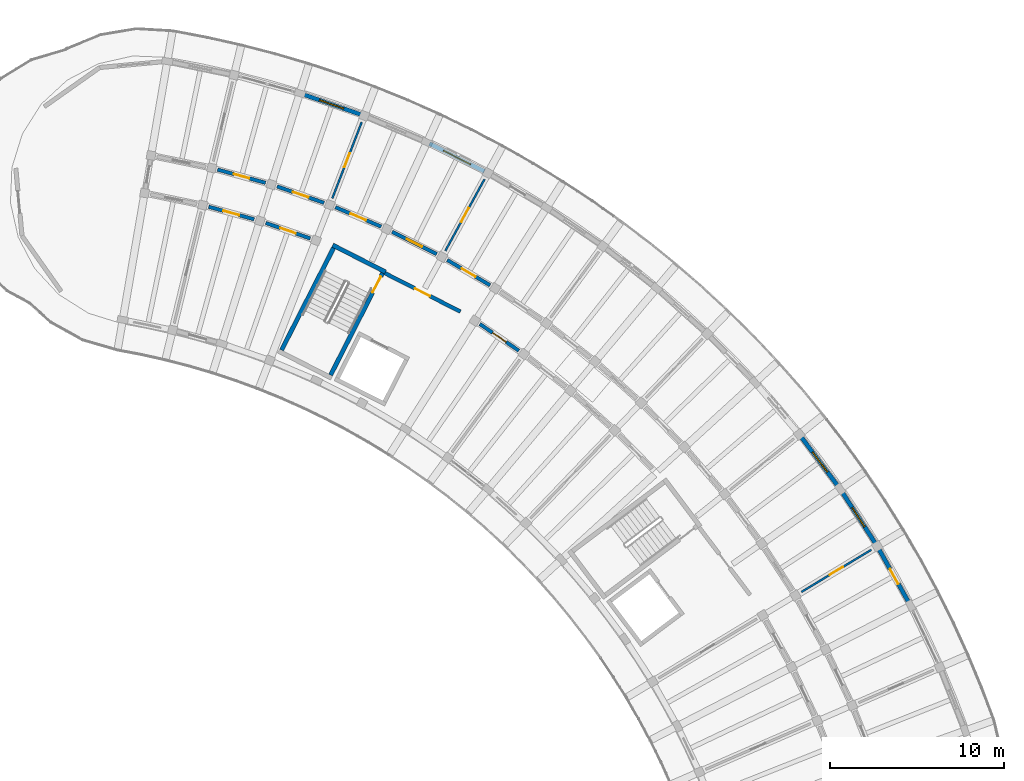
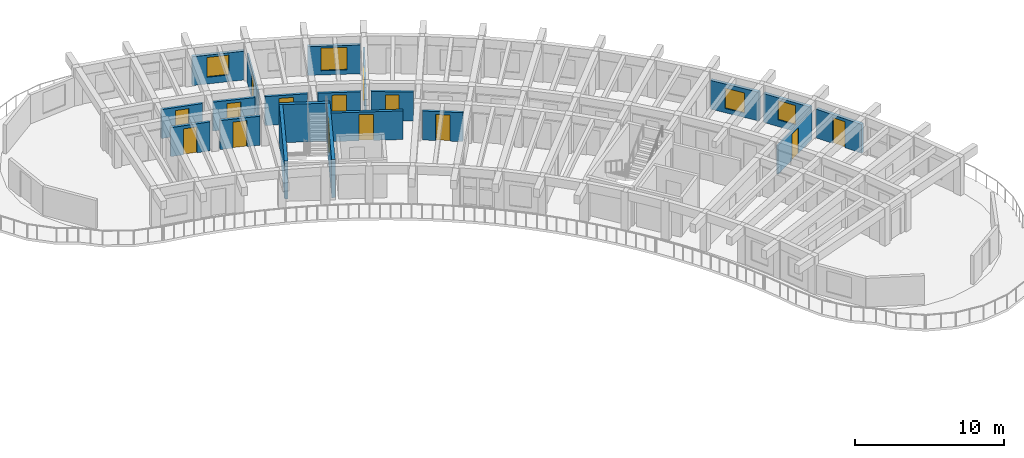
# One storey, part 57 of 83: 20 walls, 14 doors, 4 windows, 18 openings.
"""IFC4 building model written with IfcOpenShell, lengths in metres."""

from ifc_helpers import new_model, si_unit, direction, frame, frame_2d, origin, place, context, subcontext, project, spatial, rectangle, extrude, material, layer, layer_set, type_object, element, fill, save


model = new_model("IFC4")

# Units and contexts
model_context = context("Model", 3, precision=1e-05, world=origin(), true_north=direction((0.0, 1.0)))
body_context = subcontext(model_context, "Body", "Model", "MODEL_VIEW")
ifc_project = project(units=[si_unit("LENGTHUNIT", "METRE"), si_unit("AREAUNIT", "SQUARE_METRE"), si_unit("VOLUMEUNIT", "CUBIC_METRE"), si_unit("PLANEANGLEUNIT", "RADIAN"), si_unit("MASSUNIT", "GRAM", prefix="KILO")], contexts=[model_context])

# Site, building, storey
site_placement = place(None, origin())
site = spatial("IfcSite", under=ifc_project, at=site_placement, CompositionType="ELEMENT")
building_placement = place(site_placement, origin())
building = spatial("IfcBuilding", under=site, at=building_placement, Name="Tanwirah Colonnade Gardens", CompositionType="ELEMENT")
storey_placement = place(building_placement, frame((0.0, 0.0, 25.639892578125)))
storey = spatial("IfcBuildingStorey", under=building, at=storey_placement, Name="L07", CompositionType="ELEMENT", Elevation=25.639892578125)

# Wall, opening, door
ifc_material_1 = material(Name="Limestone architectural precast concrete C40/50", Category="masonry")
ifc_layer_1 = layer(ifc_material_1, 0.239990234375)
ifc_layer_set_1 = layer_set([ifc_layer_1], Name="Limestone architectural precast concrete C40/50")
wall_type_1 = type_object("IfcWallType", Name="EW-PC240", PredefinedType="SOLIDWALL", material=ifc_layer_set_1)
wall_1_placement = place(storey_placement, frame((173.8232421875, 87.68310546875, 0.0), z_axis=(0.0, 0.0, 1.0), x_axis=(-0.488265756403, 0.872694993182, 0.0)))
wall_1 = element("IfcWall", 1, at=wall_1_placement, inside=storey, type_object=wall_type_1, Name="Block B L07 OUT Precast Facade Wall 3", PredefinedType="SOLIDWALL", context=body_context, shape_type="SweptSolid", body=[
    extrude(rectangle(XDim=3.545654296875, YDim=0.239990234375, at=frame_2d((1.77294921875, 0.0))), origin(), (0.0, 0.0, 1.0), 2.355224609375),
])
opening_1_placement = place(wall_1_placement, frame((1.282958984375, 0.0, 0.0)))
opening_1 = element("IfcOpeningElement", 2, at=opening_1_placement, cuts=wall_1, Name="Opening L07-ED098", PredefinedType="OPENING", context=body_context, shape_type="SweptSolid", body=[
    extrude(rectangle(XDim=0.97998046875, YDim=2.1201171875, at=frame_2d((0.489990234375, 1.06005859375))), frame((0.0, 0.1298828125, 0.0), z_axis=(0.0, -1.0, 0.0), x_axis=(1.0, 0.0, 0.0)), (0.0, 0.0, 1.0), 0.260009765625),
])
ifc_material_2 = material(Name="Bronze aluminium glazed balcony door", Category="aluminium")
door_type_1 = type_object("IfcDoorType", Name="ED-BAL098", OperationType="NOTDEFINED", PredefinedType="DOOR", material=ifc_material_2)
door_1_placement = place(opening_1_placement, origin())
door_1 = element("IfcDoor", 3, at=door_1_placement, inside=storey, type_object=door_type_1, Name="Balcony glazed door L07-ED098", OperationType="SINGLE_SWING_LEFT", OverallHeight=2.1201171875, OverallWidth=0.97998046875, PredefinedType="DOOR", context=body_context, shape_type="SweptSolid", body=[
    extrude(rectangle(XDim=0.97998046875, YDim=2.1201171875, at=frame_2d((0.489990234375, 1.06005859375))), frame((0.0, 0.02490234375, 0.0), z_axis=(0.0, -1.0, 0.0), x_axis=(1.0, 0.0, 0.0)), (0.0, 0.0, 1.0), 0.050048828125),
])
fill(opening_1, door_1)

# Wall, opening, window
wall_2_placement = place(storey_placement, frame((171.864990234375, 91.154052734375, 0.0), z_axis=(0.0, 0.0, 1.0), x_axis=(-0.544649472572, 0.838663789624, 0.0)))
wall_2 = element("IfcWall", 4, at=wall_2_placement, inside=storey, type_object=wall_type_1, Name="Block B L07 OUT Precast Facade Wall 4", PredefinedType="SOLIDWALL", context=body_context, shape_type="SweptSolid", body=[
    extrude(rectangle(XDim=3.545654296875, YDim=0.239990234375, at=frame_2d((1.77294921875, 0.0))), origin(), (0.0, 0.0, 1.0), 2.355224609375),
])
opening_2_placement = place(wall_2_placement, frame((1.11279296875, 0.0, 0.550048828125)))
opening_2 = element("IfcOpeningElement", 5, at=opening_2_placement, cuts=wall_2, Name="Opening WIN-U05", PredefinedType="OPENING", context=body_context, shape_type="SweptSolid", body=[
    extrude(rectangle(XDim=1.320068359375, YDim=1.5849609375, at=frame_2d((0.66015625, 0.79248046875))), frame((0.0, 0.1298828125, 0.0), z_axis=(0.0, -1.0, 0.0), x_axis=(1.0, 0.0, 0.0)), (0.0, 0.0, 1.0), 0.260009765625),
])
ifc_material_3 = material(Name="Thermally broken bronze aluminium and solar low-E double glazing", Category="aluminium")
window_type_1 = type_object("IfcWindowType", Name="WIN-U05", PartitioningType="DOUBLE_PANEL_VERTICAL", PredefinedType="WINDOW", material=ifc_material_3)
window_1_placement = place(opening_2_placement, origin())
window_1 = element("IfcWindow", 6, at=window_1_placement, inside=storey, type_object=window_type_1, Name="Facade window B-L07-OUT-04", OverallHeight=1.5849609375, OverallWidth=1.320068359375, PartitioningType="SINGLE_PANEL", PredefinedType="WINDOW", context=body_context, shape_type="SweptSolid", body=[
    extrude(rectangle(XDim=1.320068359375, YDim=1.5849609375, at=frame_2d((0.66015625, 0.79248046875))), frame((0.0, 0.030029296875, 0.0), z_axis=(0.0, -1.0, 0.0), x_axis=(1.0, 0.0, 0.0)), (0.0, 0.0, 1.0), 0.06005859375),
])
fill(opening_2, window_1)

wall_3_placement = place(storey_placement, frame((169.7509765625, 94.389892578125, 0.0), z_axis=(0.0, 0.0, 1.0), x_axis=(-0.598732380635, 0.800949147186, 0.0)))
wall_3 = element("IfcWall", 7, at=wall_3_placement, inside=storey, type_object=wall_type_1, Name="Block B L07 OUT Precast Facade Wall 5", PredefinedType="SOLIDWALL", context=body_context, shape_type="SweptSolid", body=[
    extrude(rectangle(XDim=3.5458984375, YDim=0.239990234375, at=frame_2d((1.77294921875, 0.0))), origin(), (0.0, 0.0, 1.0), 2.355224609375),
])
opening_3_placement = place(wall_3_placement, frame((1.052978515625, 0.0, 0.35009765625)))
opening_3 = element("IfcOpeningElement", 8, at=opening_3_placement, cuts=wall_3, Name="Opening WIN-U08", PredefinedType="OPENING", context=body_context, shape_type="SweptSolid", body=[
    extrude(rectangle(XDim=1.43994140625, YDim=1.659912109375, at=frame_2d((0.719970703125, 0.830078125))), frame((0.0, 0.1298828125, 0.0), z_axis=(0.0, -1.0, 0.0), x_axis=(1.0, 0.0, 0.0)), (0.0, 0.0, 1.0), 0.260009765625),
])
window_type_2 = type_object("IfcWindowType", Name="WIN-U08", PartitioningType="DOUBLE_PANEL_VERTICAL", PredefinedType="WINDOW", material=ifc_material_3)
window_2_placement = place(opening_3_placement, origin())
window_2 = element("IfcWindow", 9, at=window_2_placement, inside=storey, type_object=window_type_2, Name="Facade window B-L07-OUT-05", OverallHeight=1.659912109375, OverallWidth=1.43994140625, PartitioningType="SINGLE_PANEL", PredefinedType="WINDOW", context=body_context, shape_type="SweptSolid", body=[
    extrude(rectangle(XDim=1.43994140625, YDim=1.659912109375, at=frame_2d((0.719970703125, 0.830078125))), frame((0.0, 0.030029296875, 0.0), z_axis=(0.0, -1.0, 0.0), x_axis=(1.0, 0.0, 0.0)), (0.0, 0.0, 1.0), 0.06005859375),
])
fill(opening_3, window_2)

wall_4_placement = place(storey_placement, frame((149.37060546875, 112.5498046875, 0.0), z_axis=(0.0, 0.0, 1.0), x_axis=(-0.892768574661, 0.450515562549, 0.0)))
wall_4 = element("IfcWall", 10, at=wall_4_placement, inside=storey, type_object=wall_type_1, Name="Block B L07 OUT Precast Facade Wall 12", PredefinedType="SOLIDWALL", context=body_context, shape_type="SweptSolid", body=[
    extrude(rectangle(XDim=3.545654296875, YDim=0.239990234375, at=frame_2d((1.77294921875, 0.0))), origin(), (0.0, 0.0, 1.0), 2.355224609375),
])
opening_4_placement = place(wall_4_placement, frame((0.897705078125, 0.0, 0.35009765625)))
opening_4 = element("IfcOpeningElement", 11, at=opening_4_placement, cuts=wall_4, Name="Opening WIN-T13", PredefinedType="OPENING", context=body_context, shape_type="SweptSolid", body=[
    extrude(rectangle(XDim=1.75, YDim=1.85009765625, at=frame_2d((0.875, 0.925048828125))), frame((0.0, 0.1298828125, 0.0), z_axis=(0.0, -1.0, 0.0), x_axis=(1.0, 0.0, 0.0)), (0.0, 0.0, 1.0), 0.260009765625),
])
window_type_3 = type_object("IfcWindowType", Name="WIN-T13", PartitioningType="TRIPLE_PANEL_VERTICAL", PredefinedType="WINDOW", material=ifc_material_3)
window_3_placement = place(opening_4_placement, origin())
window_3 = element("IfcWindow", 12, at=window_3_placement, inside=storey, type_object=window_type_3, Name="Facade window B-L07-OUT-12", OverallHeight=1.85009765625, OverallWidth=1.75, PartitioningType="SINGLE_PANEL", PredefinedType="WINDOW", context=body_context, shape_type="SweptSolid", body=[
    extrude(rectangle(XDim=1.75, YDim=1.85009765625, at=frame_2d((0.875, 0.925048828125))), frame((0.0, 0.030029296875, 0.0), z_axis=(0.0, -1.0, 0.0), x_axis=(1.0, 0.0, 0.0)), (0.0, 0.0, 1.0), 0.06005859375),
])
fill(opening_4, window_3)

wall_5_placement = place(storey_placement, frame((142.240966796875, 115.82568359375, 0.0), z_axis=(0.0, 0.0, 1.0), x_axis=(-0.944263407445, 0.329190852486, 0.0)))
wall_5 = element("IfcWall", 13, at=wall_5_placement, inside=storey, type_object=wall_type_1, Name="Block B L07 OUT Precast Facade Wall 14", PredefinedType="SOLIDWALL", context=body_context, shape_type="SweptSolid", body=[
    extrude(rectangle(XDim=3.545654296875, YDim=0.239990234375, at=frame_2d((1.77294921875, 0.0))), origin(), (0.0, 0.0, 1.0), 2.355224609375),
])
opening_5_placement = place(wall_5_placement, frame((1.032958984375, 0.0, 0.550048828125)))
opening_5 = element("IfcOpeningElement", 14, at=opening_5_placement, cuts=wall_5, Name="Opening WIN-T19", PredefinedType="OPENING", context=body_context, shape_type="SweptSolid", body=[
    extrude(rectangle(XDim=1.47998046875, YDim=1.6201171875, at=frame_2d((0.739990234375, 0.81005859375))), frame((0.0, 0.1298828125, 0.0), z_axis=(0.0, -1.0, 0.0), x_axis=(1.0, 0.0, 0.0)), (0.0, 0.0, 1.0), 0.260009765625),
])
window_type_4 = type_object("IfcWindowType", Name="WIN-T19", PartitioningType="DOUBLE_PANEL_VERTICAL", PredefinedType="WINDOW", material=ifc_material_3)
window_4_placement = place(opening_5_placement, origin())
window_4 = element("IfcWindow", 15, at=window_4_placement, inside=storey, type_object=window_type_4, Name="Facade window B-L07-OUT-14", OverallHeight=1.6201171875, OverallWidth=1.47998046875, PartitioningType="SINGLE_PANEL", PredefinedType="WINDOW", context=body_context, shape_type="SweptSolid", body=[
    extrude(rectangle(XDim=1.47998046875, YDim=1.6201171875, at=frame_2d((0.739990234375, 0.81005859375))), frame((0.0, 0.030029296875, 0.0), z_axis=(0.0, -1.0, 0.0), x_axis=(1.0, 0.0, 0.0)), (0.0, 0.0, 1.0), 0.06005859375),
])
fill(opening_5, window_4)

# Wall, opening, door
ifc_material_4 = material(Name="Precast concrete C40/50", Category="concrete")
ifc_layer_2 = layer(ifc_material_4, 0.205078125)
ifc_layer_set_2 = layer_set([ifc_layer_2], Name="Precast concrete C40/50")
wall_type_2 = type_object("IfcWallType", Name="IW-CORR205", PredefinedType="PARTITIONING", material=ifc_layer_set_2)
wall_6_placement = place(storey_placement, frame((151.35009765625, 102.226318359375, 0.0), z_axis=(0.0, 0.0, 1.0), x_axis=(-0.825752009056, 0.56403334967, 0.0)))
wall_6 = element("IfcWall", 16, at=wall_6_placement, inside=storey, type_object=wall_type_2, Name="Block B L07 IN Corridor Wall 10", PredefinedType="PARTITIONING", context=body_context, shape_type="SweptSolid", body=[
    extrude(rectangle(XDim=2.71826171875, YDim=0.205078125, at=frame_2d((1.359130859375, 0.0))), origin(), (0.0, 0.0, 1.0), 2.3701171875),
])
opening_6_placement = place(wall_6_placement, frame((0.884033203125, 0.0, 0.0)))
opening_6 = element("IfcOpeningElement", 17, at=opening_6_placement, cuts=wall_6, Name="Opening L07-AD1111", PredefinedType="OPENING", context=body_context, shape_type="SweptSolid", body=[
    extrude(rectangle(XDim=0.949951171875, YDim=2.1298828125, at=frame_2d((0.47509765625, 1.06494140625))), frame((0.0, 0.112548828125, 0.0), z_axis=(0.0, -1.0, 0.0), x_axis=(1.0, 0.0, 0.0)), (0.0, 0.0, 1.0), 0.22509765625),
])
ifc_material_5 = material(Name="Solid oak fire-resisting apartment entrance door")
door_type_2 = type_object("IfcDoorType", Name="ID-FLT095", OperationType="NOTDEFINED", PredefinedType="DOOR", material=ifc_material_5)
door_2_placement = place(opening_6_placement, origin())
door_2 = element("IfcDoor", 18, at=door_2_placement, inside=storey, type_object=door_type_2, Name="Apartment corridor door L07-AD1111", OperationType="SINGLE_SWING_LEFT", OverallHeight=2.1298828125, OverallWidth=0.949951171875, PredefinedType="DOOR", context=body_context, shape_type="SweptSolid", body=[
    extrude(rectangle(XDim=0.949951171875, YDim=2.1298828125, at=frame_2d((0.47509765625, 1.06494140625))), frame((0.0, 0.02490234375, 0.0), z_axis=(0.0, -1.0, 0.0), x_axis=(1.0, 0.0, 0.0)), (0.0, 0.0, 1.0), 0.050048828125),
])
fill(opening_6, door_2)

wall_7_placement = place(storey_placement, frame((149.6953125, 105.991455078125, 0.0), z_axis=(0.0, 0.0, 1.0), x_axis=(-0.861113214678, 0.508413248753, 0.0)))
wall_7 = element("IfcWall", 19, at=wall_7_placement, inside=storey, type_object=wall_type_2, Name="Block B L07 OUT Corridor Wall 11", PredefinedType="PARTITIONING", context=body_context, shape_type="SweptSolid", body=[
    extrude(rectangle(XDim=2.863037109375, YDim=0.205078125, at=frame_2d((1.431640625, 0.0))), origin(), (0.0, 0.0, 1.0), 2.3701171875),
])
opening_7_placement = place(wall_7_placement, frame((0.966552734375, 0.0, 0.0)))
opening_7 = element("IfcOpeningElement", 20, at=opening_7_placement, cuts=wall_7, Name="Opening L07-AD1112", PredefinedType="OPENING", context=body_context, shape_type="SweptSolid", body=[
    extrude(rectangle(XDim=0.929931640625, YDim=2.1201171875, at=frame_2d((0.46484375, 1.06005859375))), frame((0.0, 0.112548828125, 0.0), z_axis=(0.0, -1.0, 0.0), x_axis=(1.0, 0.0, 0.0)), (0.0, 0.0, 1.0), 0.22509765625),
])
door_type_3 = type_object("IfcDoorType", Name="ID-FLT093", OperationType="NOTDEFINED", PredefinedType="DOOR", material=ifc_material_5)
door_3_placement = place(opening_7_placement, origin())
door_3 = element("IfcDoor", 21, at=door_3_placement, inside=storey, type_object=door_type_3, Name="Apartment corridor door L07-AD1112", OperationType="SINGLE_SWING_LEFT", OverallHeight=2.1201171875, OverallWidth=0.929931640625, PredefinedType="DOOR", context=body_context, shape_type="SweptSolid", body=[
    extrude(rectangle(XDim=0.929931640625, YDim=2.1201171875, at=frame_2d((0.46484375, 1.06005859375))), frame((0.0, 0.02490234375, 0.0), z_axis=(0.0, -1.0, 0.0), x_axis=(1.0, 0.0, 0.0)), (0.0, 0.0, 1.0), 0.050048828125),
])
fill(opening_7, door_3)

wall_8_placement = place(storey_placement, frame((146.615966796875, 107.782470703125, 0.0), z_axis=(0.0, 0.0, 1.0), x_axis=(-0.89273239336, 0.450587254419, 0.0)))
wall_8 = element("IfcWall", 22, at=wall_8_placement, inside=storey, type_object=wall_type_2, Name="Block B L07 OUT Corridor Wall 12", PredefinedType="PARTITIONING", context=body_context, shape_type="SweptSolid", body=[
    extrude(rectangle(XDim=2.863037109375, YDim=0.205078125, at=frame_2d((1.431640625, 0.0))), origin(), (0.0, 0.0, 1.0), 2.3701171875),
])
opening_8_placement = place(wall_8_placement, frame((0.9365234375, 0.0, 0.0)))
opening_8 = element("IfcOpeningElement", 23, at=opening_8_placement, cuts=wall_8, Name="Opening L07-AD1114", PredefinedType="OPENING", context=body_context, shape_type="SweptSolid", body=[
    extrude(rectangle(XDim=0.989990234375, YDim=2.159912109375, at=frame_2d((0.4951171875, 1.080078125))), frame((0.0, 0.112548828125, 0.0), z_axis=(0.0, -1.0, 0.0), x_axis=(1.0, 0.0, 0.0)), (0.0, 0.0, 1.0), 0.22509765625),
])
door_type_4 = type_object("IfcDoorType", Name="ID-FLT099", OperationType="NOTDEFINED", PredefinedType="DOOR", material=ifc_material_5)
door_4_placement = place(opening_8_placement, origin())
door_4 = element("IfcDoor", 24, at=door_4_placement, inside=storey, type_object=door_type_4, Name="Apartment corridor door L07-AD1114", OperationType="SINGLE_SWING_RIGHT", OverallHeight=2.159912109375, OverallWidth=0.989990234375, PredefinedType="DOOR", context=body_context, shape_type="SweptSolid", body=[
    extrude(rectangle(XDim=0.989990234375, YDim=2.159912109375, at=frame_2d((0.4951171875, 1.080078125))), frame((0.0, 0.02490234375, 0.0), z_axis=(0.0, -1.0, 0.0), x_axis=(1.0, 0.0, 0.0)), (0.0, 0.0, 1.0), 0.050048828125),
])
fill(opening_8, door_4)

wall_9_placement = place(storey_placement, frame((143.42529296875, 109.366943359375, 0.0), z_axis=(0.0, 0.0, 1.0), x_axis=(-0.920511160294, 0.390716270168, 0.0)))
wall_9 = element("IfcWall", 25, at=wall_9_placement, inside=storey, type_object=wall_type_2, Name="Block B L07 OUT Corridor Wall 13", PredefinedType="PARTITIONING", context=body_context, shape_type="SweptSolid", body=[
    extrude(rectangle(XDim=2.863037109375, YDim=0.205078125, at=frame_2d((1.431640625, 0.0))), origin(), (0.0, 0.0, 1.0), 2.3701171875),
])
opening_9_placement = place(wall_9_placement, frame((0.946533203125, 0.0, 0.0)))
opening_9 = element("IfcOpeningElement", 26, at=opening_9_placement, cuts=wall_9, Name="Opening L07-AD1115", PredefinedType="OPENING", context=body_context, shape_type="SweptSolid", body=[
    extrude(rectangle(XDim=0.969970703125, YDim=2.14990234375, at=frame_2d((0.48486328125, 1.074951171875))), frame((0.0, 0.112548828125, 0.0), z_axis=(0.0, -1.0, 0.0), x_axis=(1.0, 0.0, 0.0)), (0.0, 0.0, 1.0), 0.22509765625),
])
door_type_5 = type_object("IfcDoorType", Name="ID-FLT097", OperationType="NOTDEFINED", PredefinedType="DOOR", material=ifc_material_5)
door_5_placement = place(opening_9_placement, origin())
door_5 = element("IfcDoor", 27, at=door_5_placement, inside=storey, type_object=door_type_5, Name="Apartment corridor door L07-AD1115", OperationType="SINGLE_SWING_LEFT", OverallHeight=2.14990234375, OverallWidth=0.969970703125, PredefinedType="DOOR", context=body_context, shape_type="SweptSolid", body=[
    extrude(rectangle(XDim=0.969970703125, YDim=2.14990234375, at=frame_2d((0.48486328125, 1.074951171875))), frame((0.0, 0.02490234375, 0.0), z_axis=(0.0, -1.0, 0.0), x_axis=(1.0, 0.0, 0.0)), (0.0, 0.0, 1.0), 0.050048828125),
])
fill(opening_9, door_5)

wall_10_placement = place(storey_placement, frame((140.13720703125, 110.737548828125, 0.0), z_axis=(0.0, 0.0, 1.0), x_axis=(-0.944253820929, 0.329218349522, 0.0)))
wall_10 = element("IfcWall", 28, at=wall_10_placement, inside=storey, type_object=wall_type_2, Name="Block B L07 OUT Corridor Wall 14", PredefinedType="PARTITIONING", context=body_context, shape_type="SweptSolid", body=[
    extrude(rectangle(XDim=2.86328125, YDim=0.205078125, at=frame_2d((1.431640625, 0.0))), origin(), (0.0, 0.0, 1.0), 2.3701171875),
])
opening_10_placement = place(wall_10_placement, frame((0.95654296875, 0.0, 0.0)))
opening_10 = element("IfcOpeningElement", 29, at=opening_10_placement, cuts=wall_10, Name="Opening L07-AD1117", PredefinedType="OPENING", context=body_context, shape_type="SweptSolid", body=[
    extrude(rectangle(XDim=0.949951171875, YDim=2.1298828125, at=frame_2d((0.47509765625, 1.06494140625))), frame((0.0, 0.112548828125, 0.0), z_axis=(0.0, -1.0, 0.0), x_axis=(1.0, 0.0, 0.0)), (0.0, 0.0, 1.0), 0.22509765625),
])
door_6_placement = place(opening_10_placement, origin())
door_6 = element("IfcDoor", 30, at=door_6_placement, inside=storey, type_object=door_type_2, Name="Apartment corridor door L07-AD1117", OperationType="SINGLE_SWING_RIGHT", OverallHeight=2.1298828125, OverallWidth=0.949951171875, PredefinedType="DOOR", context=body_context, shape_type="SweptSolid", body=[
    extrude(rectangle(XDim=0.949951171875, YDim=2.1298828125, at=frame_2d((0.47509765625, 1.06494140625))), frame((0.0, 0.02490234375, 0.0), z_axis=(0.0, -1.0, 0.0), x_axis=(1.0, 0.0, 0.0)), (0.0, 0.0, 1.0), 0.050048828125),
])
fill(opening_10, door_6)

wall_11_placement = place(storey_placement, frame((139.3447265625, 108.685302734375, 0.0), z_axis=(0.0, 0.0, 1.0), x_axis=(-0.944265123647, 0.329185929627, 0.0)))
wall_11 = element("IfcWall", 31, at=wall_11_placement, inside=storey, type_object=wall_type_2, Name="Block B L07 IN Corridor Wall 14", PredefinedType="PARTITIONING", context=body_context, shape_type="SweptSolid", body=[
    extrude(rectangle(XDim=2.71826171875, YDim=0.205078125, at=frame_2d((1.359130859375, 0.0))), origin(), (0.0, 0.0, 1.0), 2.3701171875),
])
opening_11_placement = place(wall_11_placement, frame((0.884033203125, 0.0, 0.0)))
opening_11 = element("IfcOpeningElement", 32, at=opening_11_placement, cuts=wall_11, Name="Opening L07-AD1118", PredefinedType="OPENING", context=body_context, shape_type="SweptSolid", body=[
    extrude(rectangle(XDim=0.949951171875, YDim=2.1298828125, at=frame_2d((0.47509765625, 1.06494140625))), frame((0.0, 0.112548828125, 0.0), z_axis=(0.0, -1.0, 0.0), x_axis=(1.0, 0.0, 0.0)), (0.0, 0.0, 1.0), 0.22509765625),
])
door_7_placement = place(opening_11_placement, origin())
door_7 = element("IfcDoor", 33, at=door_7_placement, inside=storey, type_object=door_type_2, Name="Apartment corridor door L07-AD1118", OperationType="SINGLE_SWING_LEFT", OverallHeight=2.1298828125, OverallWidth=0.949951171875, PredefinedType="DOOR", context=body_context, shape_type="SweptSolid", body=[
    extrude(rectangle(XDim=0.949951171875, YDim=2.1298828125, at=frame_2d((0.47509765625, 1.06494140625))), frame((0.0, 0.02490234375, 0.0), z_axis=(0.0, -1.0, 0.0), x_axis=(1.0, 0.0, 0.0)), (0.0, 0.0, 1.0), 0.050048828125),
])
fill(opening_11, door_7)

wall_12_placement = place(storey_placement, frame((136.765869140625, 111.888671875, 0.0), z_axis=(0.0, 0.0, 1.0), x_axis=(-0.963890789093, 0.266297853356, 0.0)))
wall_12 = element("IfcWall", 34, at=wall_12_placement, inside=storey, type_object=wall_type_2, Name="Block B L07 OUT Corridor Wall 15", PredefinedType="PARTITIONING", context=body_context, shape_type="SweptSolid", body=[
    extrude(rectangle(XDim=2.863037109375, YDim=0.205078125, at=frame_2d((1.431640625, 0.0))), origin(), (0.0, 0.0, 1.0), 2.3701171875),
])
opening_12_placement = place(wall_12_placement, frame((0.966552734375, 0.0, 0.0)))
opening_12 = element("IfcOpeningElement", 35, at=opening_12_placement, cuts=wall_12, Name="Opening L07-AD1119", PredefinedType="OPENING", context=body_context, shape_type="SweptSolid", body=[
    extrude(rectangle(XDim=0.929931640625, YDim=2.1201171875, at=frame_2d((0.46484375, 1.06005859375))), frame((0.0, 0.112548828125, 0.0), z_axis=(0.0, -1.0, 0.0), x_axis=(1.0, 0.0, 0.0)), (0.0, 0.0, 1.0), 0.22509765625),
])
door_8_placement = place(opening_12_placement, origin())
door_8 = element("IfcDoor", 36, at=door_8_placement, inside=storey, type_object=door_type_3, Name="Apartment corridor door L07-AD1119", OperationType="SINGLE_SWING_LEFT", OverallHeight=2.1201171875, OverallWidth=0.929931640625, PredefinedType="DOOR", context=body_context, shape_type="SweptSolid", body=[
    extrude(rectangle(XDim=0.929931640625, YDim=2.1201171875, at=frame_2d((0.46484375, 1.06005859375))), frame((0.0, 0.02490234375, 0.0), z_axis=(0.0, -1.0, 0.0), x_axis=(1.0, 0.0, 0.0)), (0.0, 0.0, 1.0), 0.050048828125),
])
fill(opening_12, door_8)

wall_13_placement = place(storey_placement, frame((136.1103515625, 109.78857421875, 0.0), z_axis=(0.0, 0.0, 1.0), x_axis=(-0.96388375821, 0.266323301006, 0.0)))
wall_13 = element("IfcWall", 37, at=wall_13_placement, inside=storey, type_object=wall_type_2, Name="Block B L07 IN Corridor Wall 15", PredefinedType="PARTITIONING", context=body_context, shape_type="SweptSolid", body=[
    extrude(rectangle(XDim=2.718017578125, YDim=0.205078125, at=frame_2d((1.35888671875, 0.0))), origin(), (0.0, 0.0, 1.0), 2.3701171875),
])
opening_13_placement = place(wall_13_placement, frame((0.89404296875, 0.0, 0.0)))
opening_13 = element("IfcOpeningElement", 38, at=opening_13_placement, cuts=wall_13, Name="Opening L07-AD1120", PredefinedType="OPENING", context=body_context, shape_type="SweptSolid", body=[
    extrude(rectangle(XDim=0.929931640625, YDim=2.1201171875, at=frame_2d((0.46484375, 1.06005859375))), frame((0.0, 0.112548828125, 0.0), z_axis=(0.0, -1.0, 0.0), x_axis=(1.0, 0.0, 0.0)), (0.0, 0.0, 1.0), 0.22509765625),
])
door_9_placement = place(opening_13_placement, origin())
door_9 = element("IfcDoor", 39, at=door_9_placement, inside=storey, type_object=door_type_3, Name="Apartment corridor door L07-AD1120", OperationType="SINGLE_SWING_RIGHT", OverallHeight=2.1201171875, OverallWidth=0.929931640625, PredefinedType="DOOR", context=body_context, shape_type="SweptSolid", body=[
    extrude(rectangle(XDim=0.929931640625, YDim=2.1201171875, at=frame_2d((0.46484375, 1.06005859375))), frame((0.0, 0.02490234375, 0.0), z_axis=(0.0, -1.0, 0.0), x_axis=(1.0, 0.0, 0.0)), (0.0, 0.0, 1.0), 0.050048828125),
])
fill(opening_13, door_9)

ifc_material_6 = material(Name="Autoclaved aerated masonry blockwork", Category="masonry")
ifc_layer_3 = layer(ifc_material_6, 0.219970703125)
ifc_layer_set_3 = layer_set([ifc_layer_3], Name="Autoclaved aerated masonry blockwork")
wall_type_3 = type_object("IfcWallType", Name="IW-FFL220", PredefinedType="PARTITIONING", material=ifc_layer_set_3)
wall_14_placement = place(storey_placement, frame((143.624755859375, 106.6962890625, 0.0), z_axis=(0.0, 0.0, 1.0), x_axis=(0.891003372311, -0.453996685595, 0.0)))
wall_14 = element("IfcWall", 40, at=wall_14_placement, inside=storey, type_object=wall_type_3, Name="CORE-B2 L07 Enclosed Lobby Fire Wall", PredefinedType="PARTITIONING", context=body_context, shape_type="SweptSolid", body=[
    extrude(rectangle(XDim=4.900146484375, YDim=0.219970703125, at=frame_2d((2.4501953125, 0.0))), origin(), (0.0, 0.0, 1.0), 2.340087890625),
])
opening_14_placement = place(wall_14_placement, frame((1.949951171875, 0.0, 0.0)))
opening_14 = element("IfcOpeningElement", 41, at=opening_14_placement, cuts=wall_14, Name="Opening L07-LD115", PredefinedType="OPENING", context=body_context, shape_type="SweptSolid", body=[
    extrude(rectangle(XDim=0.97998046875, YDim=2.139892578125, at=frame_2d((0.489990234375, 1.06982421875))), frame((0.0, 0.119873046875, 0.0), z_axis=(0.0, -1.0, 0.0), x_axis=(1.0, 0.0, 0.0)), (0.0, 0.0, 1.0), 0.239990234375),
])
ifc_material_7 = material(Name="Acoustic fire-resisting lobby door")
door_type_6 = type_object("IfcDoorType", Name="ID-FFL098", OperationType="NOTDEFINED", PredefinedType="DOOR", material=ifc_material_7)
door_10_placement = place(opening_14_placement, origin())
door_10 = element("IfcDoor", 42, at=door_10_placement, inside=storey, type_object=door_type_6, Name="CORE-B2 L07 Lobby Fire Door L07-LD115", OperationType="SINGLE_SWING_RIGHT", OverallHeight=2.139892578125, OverallWidth=0.97998046875, PredefinedType="DOOR", context=body_context, shape_type="SweptSolid", body=[
    extrude(rectangle(XDim=0.97998046875, YDim=2.139892578125, at=frame_2d((0.489990234375, 1.06982421875))), frame((0.0, 0.02490234375, 0.0), z_axis=(0.0, -1.0, 0.0), x_axis=(1.0, 0.0, 0.0)), (0.0, 0.0, 1.0), 0.050048828125),
])
fill(opening_14, door_10)

ifc_material_8 = material(Name="Acoustic gypsum stud partition")
ifc_layer_4 = layer(ifc_material_8, 0.114990234375)
ifc_layer_set_4 = layer_set([ifc_layer_4], Name="Acoustic gypsum stud partition")
wall_type_4 = type_object("IfcWallType", Name="IW-INT115", PredefinedType="PARTITIONING", material=ifc_layer_set_4)
wall_15_placement = place(storey_placement, frame((167.618408203125, 88.334228515625, 0.0), z_axis=(0.0, 0.0, 1.0), x_axis=(0.856165473929, 0.516701733356, 0.0)))
wall_15 = element("IfcWall", 43, at=wall_15_placement, inside=storey, type_object=wall_type_4, Name="Block B L07 Radial Partition 3", PredefinedType="PARTITIONING", context=body_context, shape_type="SweptSolid", body=[
    extrude(rectangle(XDim=4.699951171875, YDim=0.114990234375, at=frame_2d((2.35009765625, 0.0))), origin(), (0.0, 0.0, 1.0), 2.3701171875),
])
opening_15_placement = place(wall_15_placement, frame((1.905029296875, 0.0, 0.0)))
opening_15 = element("IfcOpeningElement", 44, at=opening_15_placement, cuts=wall_15, Name="Opening L07-RD1094", PredefinedType="OPENING", context=body_context, shape_type="SweptSolid", body=[
    extrude(rectangle(XDim=0.889892578125, YDim=2.10009765625, at=frame_2d((0.44482421875, 1.050048828125))), frame((0.0, 0.0673828125, 0.0), z_axis=(0.0, -1.0, 0.0), x_axis=(1.0, 0.0, 0.0)), (0.0, 0.0, 1.0), 0.135009765625),
])
ifc_material_9 = material(Name="Painted hardwood bedroom door", Category="wood")
door_type_7 = type_object("IfcDoorType", Name="ID-RM089", OperationType="NOTDEFINED", PredefinedType="DOOR", material=ifc_material_9)
door_11_placement = place(opening_15_placement, origin())
door_11 = element("IfcDoor", 45, at=door_11_placement, inside=storey, type_object=door_type_7, Name="Internal apartment door L07-RD1094", OperationType="SINGLE_SWING_LEFT", OverallHeight=2.10009765625, OverallWidth=0.889892578125, PredefinedType="DOOR", context=body_context, shape_type="SweptSolid", body=[
    extrude(rectangle(XDim=0.889892578125, YDim=2.10009765625, at=frame_2d((0.44482421875, 1.050048828125))), frame((0.0, 0.02490234375, 0.0), z_axis=(0.0, -1.0, 0.0), x_axis=(1.0, 0.0, 0.0)), (0.0, 0.0, 1.0), 0.050048828125),
])
fill(opening_15, door_11)

wall_16_placement = place(storey_placement, frame((147.120361328125, 107.975830078125, 0.0), z_axis=(0.0, 0.0, 1.0), x_axis=(0.479721743761, 0.877420679357, 0.0)))
wall_16 = element("IfcWall", 46, at=wall_16_placement, inside=storey, type_object=wall_type_4, Name="Block B L07 Radial Partition 11", PredefinedType="PARTITIONING", context=body_context, shape_type="SweptSolid", body=[
    extrude(rectangle(XDim=4.699951171875, YDim=0.114990234375, at=frame_2d((2.35009765625, 0.0))), origin(), (0.0, 0.0, 1.0), 2.3701171875),
])
opening_16_placement = place(wall_16_placement, frame((1.89501953125, 0.0, 0.0)))
opening_16 = element("IfcOpeningElement", 47, at=opening_16_placement, cuts=wall_16, Name="Opening L07-RD1113", PredefinedType="OPENING", context=body_context, shape_type="SweptSolid", body=[
    extrude(rectangle(XDim=0.909912109375, YDim=2.10009765625, at=frame_2d((0.455078125, 1.050048828125))), frame((0.0, 0.0673828125, 0.0), z_axis=(0.0, -1.0, 0.0), x_axis=(1.0, 0.0, 0.0)), (0.0, 0.0, 1.0), 0.135009765625),
])
ifc_material_10 = material(Name="Painted hardwood internal room door", Category="wood")
door_type_8 = type_object("IfcDoorType", Name="ID-RM091", OperationType="NOTDEFINED", PredefinedType="DOOR", material=ifc_material_10)
door_12_placement = place(opening_16_placement, origin())
door_12 = element("IfcDoor", 48, at=door_12_placement, inside=storey, type_object=door_type_8, Name="Internal apartment door L07-RD1113", OperationType="SINGLE_SWING_LEFT", OverallHeight=2.10009765625, OverallWidth=0.909912109375, PredefinedType="DOOR", context=body_context, shape_type="SweptSolid", body=[
    extrude(rectangle(XDim=0.909912109375, YDim=2.10009765625, at=frame_2d((0.455078125, 1.050048828125))), frame((0.0, 0.02490234375, 0.0), z_axis=(0.0, -1.0, 0.0), x_axis=(1.0, 0.0, 0.0)), (0.0, 0.0, 1.0), 0.050048828125),
])
fill(opening_16, door_12)

wall_17_placement = place(storey_placement, frame((140.611572265625, 110.99560546875, 0.0), z_axis=(0.0, 0.0, 1.0), x_axis=(0.360186633854, 0.932880264982, 0.0)))
wall_17 = element("IfcWall", 49, at=wall_17_placement, inside=storey, type_object=wall_type_4, Name="Block B L07 Radial Partition 13", PredefinedType="PARTITIONING", context=body_context, shape_type="SweptSolid", body=[
    extrude(rectangle(XDim=4.699951171875, YDim=0.114990234375, at=frame_2d((2.35009765625, 0.0))), origin(), (0.0, 0.0, 1.0), 2.3701171875),
])
opening_17_placement = place(wall_17_placement, frame((1.9150390625, 0.0, 0.0)))
opening_17 = element("IfcOpeningElement", 50, at=opening_17_placement, cuts=wall_17, Name="Opening L07-RD1116", PredefinedType="OPENING", context=body_context, shape_type="SweptSolid", body=[
    extrude(rectangle(XDim=0.8701171875, YDim=2.080078125, at=frame_2d((0.43505859375, 1.0400390625))), frame((0.0, 0.0673828125, 0.0), z_axis=(0.0, -1.0, 0.0), x_axis=(1.0, 0.0, 0.0)), (0.0, 0.0, 1.0), 0.135009765625),
])
ifc_material_11 = material(Name="Painted hardwood study door", Category="wood")
door_type_9 = type_object("IfcDoorType", Name="ID-RM087", OperationType="NOTDEFINED", PredefinedType="DOOR", material=ifc_material_11)
door_13_placement = place(opening_17_placement, origin())
door_13 = element("IfcDoor", 51, at=door_13_placement, inside=storey, type_object=door_type_9, Name="Internal apartment door L07-RD1116", OperationType="SINGLE_SWING_LEFT", OverallHeight=2.080078125, OverallWidth=0.8701171875, PredefinedType="DOOR", context=body_context, shape_type="SweptSolid", body=[
    extrude(rectangle(XDim=0.8701171875, YDim=2.080078125, at=frame_2d((0.43505859375, 1.0400390625))), frame((0.0, 0.02490234375, 0.0), z_axis=(0.0, -1.0, 0.0), x_axis=(1.0, 0.0, 0.0)), (0.0, 0.0, 1.0), 0.050048828125),
])
fill(opening_17, door_13)

# Walls
ifc_material_12 = material(Name="Concrete C45/55", Category="concrete")
ifc_layer_5 = layer(ifc_material_12, 0.25)
ifc_layer_set_5 = layer_set([ifc_layer_5], Name="Concrete C45/55")
wall_type_5 = type_object("IfcWallType", Name="SW-CORE250", PredefinedType="SHEAR", material=ifc_layer_set_5)
wall_18_placement = place(storey_placement, frame((140.68408203125, 108.138671875, 0.0), z_axis=(0.0, 0.0, 1.0), x_axis=(-0.453992276384, -0.891005618941, 0.0)))
element("IfcWall", 52, at=wall_18_placement, inside=storey, type_object=wall_type_5, Name="CORE-B2 L07 Stair Shaft Shear Wall LEFT", PredefinedType="SHEAR", context=body_context, shape_type="SweptSolid", body=[
    extrude(rectangle(XDim=6.599853515625, YDim=0.25, at=frame_2d((3.2998046875, 0.0))), origin(), (0.0, 0.0, 1.0), 3.110107421875),
])
wall_19_placement = place(storey_placement, frame((140.62939453125, 108.306640625, 0.0), z_axis=(0.0, 0.0, 1.0), x_axis=(0.891032414707, -0.453939683153, 0.0)))
element("IfcWall", 53, at=wall_19_placement, inside=storey, type_object=wall_type_5, Name="CORE-B2 L07 Stair Shaft Shear Wall NEAR", PredefinedType="SHEAR", context=body_context, shape_type="SweptSolid", body=[
    extrude(rectangle(XDim=3.419921875, YDim=0.25, at=frame_2d((1.7099609375, 0.0))), origin(), (0.0, 0.0, 1.0), 3.110107421875),
])

# Wall, opening, door
wall_20_placement = place(storey_placement, frame((143.508544921875, 106.699462890625, 0.0), z_axis=(0.0, 0.0, 1.0), x_axis=(-0.453992276384, -0.891005618941, 0.0)))
wall_20 = element("IfcWall", 54, at=wall_20_placement, inside=storey, type_object=wall_type_5, Name="CORE-B2 L07 Stair Shaft Shear Wall RIGHT", PredefinedType="SHEAR", context=body_context, shape_type="SweptSolid", body=[
    extrude(rectangle(XDim=6.599853515625, YDim=0.25, at=frame_2d((3.2998046875, 0.0))), origin(), (0.0, 0.0, 1.0), 3.110107421875),
])
opening_18_placement = place(wall_20_placement, frame((0.219970703125, 0.0, 0.0)))
opening_18 = element("IfcOpeningElement", 55, at=opening_18_placement, cuts=wall_20, Name="Opening L07-SD101", PredefinedType="OPENING", context=body_context, shape_type="SweptSolid", body=[
    extrude(rectangle(XDim=1.050048828125, YDim=2.14990234375, at=frame_2d((0.52490234375, 1.074951171875))), frame((0.0, 0.135009765625, 0.0), z_axis=(0.0, -1.0, 0.0), x_axis=(1.0, 0.0, 0.0)), (0.0, 0.0, 1.0), 0.27001953125),
])
ifc_material_13 = material(Name="Steel fire-resisting stair enclosure door", Category="steel")
door_type_10 = type_object("IfcDoorType", Name="ID-ST105", OperationType="NOTDEFINED", PredefinedType="DOOR", material=ifc_material_13)
door_14_placement = place(opening_18_placement, origin())
door_14 = element("IfcDoor", 56, at=door_14_placement, inside=storey, type_object=door_type_10, Name="CORE-B2 L07 Stair Fire Door L07-SD101", OperationType="SINGLE_SWING_RIGHT", OverallHeight=2.14990234375, OverallWidth=1.050048828125, PredefinedType="DOOR", context=body_context, shape_type="SweptSolid", body=[
    extrude(rectangle(XDim=1.050048828125, YDim=2.14990234375, at=frame_2d((0.52490234375, 1.074951171875))), frame((0.0, 0.02490234375, 0.0), z_axis=(0.0, -1.0, 0.0), x_axis=(1.0, 0.0, 0.0)), (0.0, 0.0, 1.0), 0.050048828125),
])
fill(opening_18, door_14)

save(model, "model.ifc")
